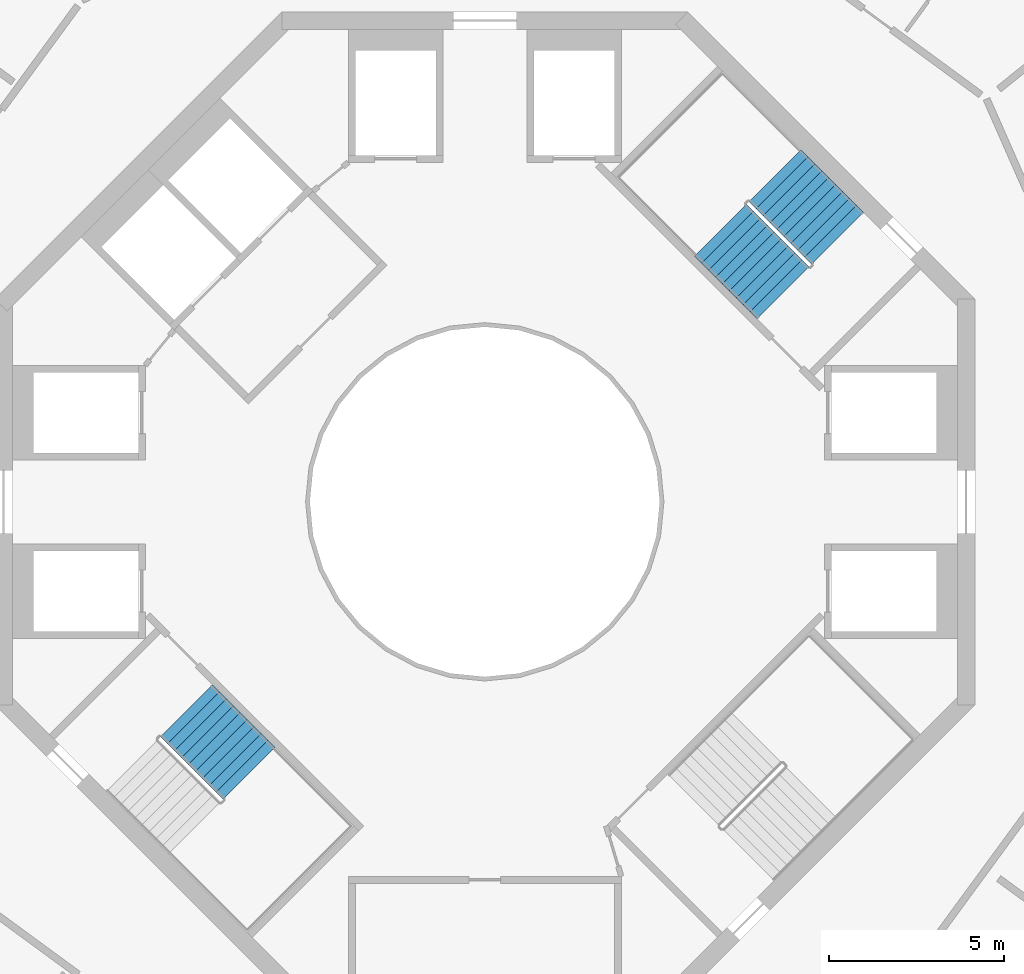
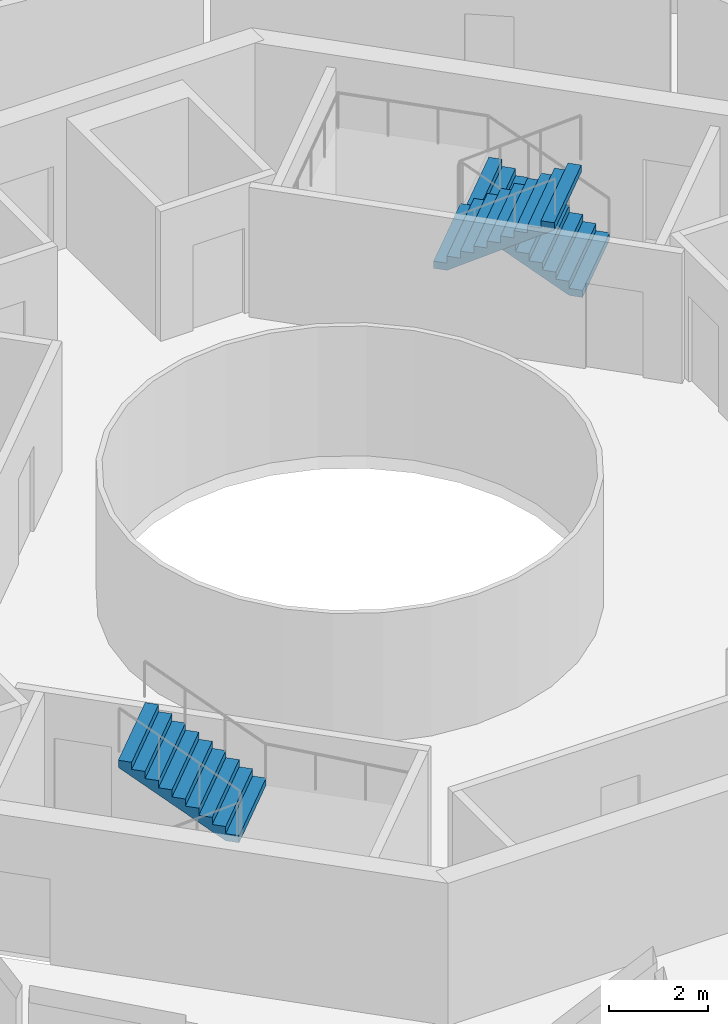
# One storey, part 21 of 22: 3 stair flights, 2 elements without a shape of their own.
"""IFC4 building model written with IfcOpenShell, lengths in metres."""

from ifc_helpers import new_model, si_unit, direction, frame, origin, place, context, subcontext, project, spatial, triangles, material, type_object, element, aggregate, save


model = new_model("IFC4")

# Units and contexts
model_context = context("Model", 3, precision=1e-05, world=origin(), true_north=direction((0.0, 1.0)))
body_context = subcontext(model_context, "Body", "Model", "MODEL_VIEW")
ifc_project = project(units=[si_unit("LENGTHUNIT", "METRE"), si_unit("AREAUNIT", "SQUARE_METRE"), si_unit("VOLUMEUNIT", "CUBIC_METRE"), si_unit("PLANEANGLEUNIT", "RADIAN"), si_unit("MASSUNIT", "GRAM", prefix="KILO")], contexts=[model_context])

# Site, building, storey
site_placement = place(None, origin())
site = spatial("IfcSite", under=ifc_project, at=site_placement, CompositionType="ELEMENT")
building_placement = place(site_placement, origin())
building = spatial("IfcBuilding", under=site, at=building_placement, Name="Verdalira Terraces Hotel", CompositionType="ELEMENT")
storey_placement = place(building_placement, frame((0.0, 0.0, 252.5)))
storey = spatial("IfcBuildingStorey", under=building, at=storey_placement, Name="L62", CompositionType="ELEMENT", Elevation=252.5)

# Stair, stair flights
ifc_material_1 = material(Name="Concrete C40", Category="concrete")
stair_type = type_object("IfcStairType", Name="Core stair 20 risers 2100 mm wide", PredefinedType="HALF_TURN_STAIR", material=ifc_material_1)
stair_1_placement = place(storey_placement, origin())
stair_1 = element("IfcStair", 1, at=stair_1_placement, inside=storey, type_object=stair_type, Name="L62 Exit stair ST1", PredefinedType="HALF_TURN_STAIR")
ifc_material_2 = material(Name="Concrete C40", Category="concrete")
stair_flight_type = type_object("IfcStairFlightType", Name="Core stair flight 20 risers 2100 mm wide", PredefinedType="STRAIGHT", material=ifc_material_2)
stair_flight_1_placement = place(storey_placement, frame((10.076172, 7.530762, 0.0), z_axis=(0.0, 0.0, 1.0), x_axis=(-0.707106781, 0.707106781, 0.0)))
stair_flight_1 = element("IfcStairFlight", 2, at=stair_flight_1_placement, type_object=stair_flight_type, Name="ST1 flight 1", NumberOfRisers=10, NumberOfTreads=9, PredefinedType="STRAIGHT", RiserHeight=0.175, TreadLength=0.28, context=body_context, shape_type="Tessellation", body=[
    triangles([(0.0, 1.050049, 0.0), (0.282715, 1.050049, 0.0), (2.52002, 1.050049, 1.398193), (0.0, -1.050049, 0.0), (0.282715, -1.050049, 0.0), (2.52002, -1.050049, 1.398193), (2.52002, 1.050049, 1.574951), (2.23999, 1.050049, 1.574951), (2.52002, -1.050049, 1.574951), (2.23999, -1.050049, 1.574951), (2.23999, 1.050049, 1.399902), (2.23999, -1.050049, 1.399902), (1.959961, 1.050049, 1.399902), (1.959961, -1.050049, 1.399902), (1.959961, 1.050049, 1.225098), (1.959961, -1.050049, 1.225098), (1.679932, 1.050049, 1.225098), (1.679932, 1.050049, 1.050049), (1.679932, -1.050049, 1.225098), (1.679932, -1.050049, 1.050049), (1.399902, 1.050049, 1.050049), (1.399902, 1.050049, 0.875), (1.399902, -1.050049, 1.050049), (1.399902, -1.050049, 0.875), (1.120117, 1.050049, 0.875), (1.120117, 1.050049, 0.699951), (1.120117, -1.050049, 0.875), (1.120117, -1.050049, 0.699951), (0.840088, 1.050049, 0.699951), (0.840088, 1.050049, 0.524902), (0.840088, -1.050049, 0.699951), (0.840088, -1.050049, 0.524902), (0.560059, 1.050049, 0.524902), (0.560059, 1.050049, 0.350098), (0.560059, -1.050049, 0.524902), (0.560059, -1.050049, 0.350098), (0.280029, 1.050049, 0.350098), (0.280029, 1.050049, 0.175049), (0.280029, -1.050049, 0.350098), (0.280029, -1.050049, 0.175049), (0.0, 1.050049, 0.175049), (0.0, -1.050049, 0.175049), (0.0, -0.984421, 0.0), (0.0, -0.984421, 0.175049), (0.0, -0.918793, 0.0), (0.0, -0.918793, 0.175049), (0.0, -0.853165, 0.0), (0.0, -0.853165, 0.175049), (0.0, -0.787537, 0.0), (0.0, -0.787537, 0.175049), (0.0, -0.721909, 0.0), (0.0, -0.721909, 0.175049), (0.0, -0.656281, 0.0), (0.0, -0.656281, 0.175049), (0.0, -0.590652, 0.0), (0.0, -0.590652, 0.175049), (0.0, -0.525024, 0.0), (0.0, -0.525024, 0.175049), (0.0, -0.459396, 0.0), (0.0, -0.459396, 0.175049), (0.0, -0.393768, 0.0), (0.0, -0.393768, 0.175049), (0.0, -0.32814, 0.0), (0.0, -0.32814, 0.175049), (0.0, -0.262512, 0.0), (0.0, -0.262512, 0.175049), (0.0, -0.196884, 0.0), (0.0, -0.196884, 0.175049), (0.0, -0.131256, 0.0), (0.0, -0.131256, 0.175049), (0.0, -0.065628, 0.0), (0.0, -0.065628, 0.175049), (0.0, 0.0, 0.0), (0.0, 0.0, 0.175049), (0.0, 0.065628, 0.0), (0.0, 0.065628, 0.175049), (0.0, 0.131256, 0.0), (0.0, 0.131256, 0.175049), (0.0, 0.196884, 0.0), (0.0, 0.196884, 0.175049), (0.0, 0.262512, 0.0), (0.0, 0.262512, 0.175049), (0.0, 0.32814, 0.0), (0.0, 0.32814, 0.175049), (0.0, 0.393768, 0.0), (0.0, 0.393768, 0.175049), (0.0, 0.459396, 0.0), (0.0, 0.459396, 0.175049), (0.0, 0.525024, 0.0), (0.0, 0.525024, 0.175049), (0.0, 0.590652, 0.0), (0.0, 0.590652, 0.175049), (0.0, 0.656281, 0.0), (0.0, 0.656281, 0.175049), (0.0, 0.721909, 0.0), (0.0, 0.721909, 0.175049), (0.0, 0.787537, 0.0), (0.0, 0.787537, 0.175049), (0.0, 0.853165, 0.0), (0.0, 0.853165, 0.175049), (0.0, 0.918793, 0.0), (0.0, 0.918793, 0.175049), (0.0, 0.984421, 0.0), (0.0, 0.984421, 0.175049), (2.52002, -0.984421, 1.574951), (2.52002, -0.918793, 1.574951), (2.52002, -0.853165, 1.574951), (2.52002, -0.787537, 1.574951), (2.52002, -0.721909, 1.574951), (2.52002, -0.656281, 1.574951), (2.52002, -0.590652, 1.574951), (2.52002, -0.525024, 1.574951), (2.52002, -0.459396, 1.574951), (2.52002, -0.393768, 1.574951), (2.52002, -0.32814, 1.574951), (2.52002, -0.262512, 1.574951), (2.52002, -0.196884, 1.574951), (2.52002, -0.131256, 1.574951), (2.52002, -0.065628, 1.574951), (2.52002, 0.0, 1.574951), (2.52002, 0.065628, 1.574951), (2.52002, 0.131256, 1.574951), (2.52002, 0.196884, 1.574951), (2.52002, 0.262512, 1.574951), (2.52002, 0.32814, 1.574951), (2.52002, 0.393768, 1.574951), (2.52002, 0.459396, 1.574951), (2.52002, 0.525024, 1.574951), (2.52002, 0.590652, 1.574951), (2.52002, 0.656281, 1.574951), (2.52002, 0.721909, 1.574951), (2.52002, 0.787537, 1.574951), (2.52002, 0.853165, 1.574951), (2.52002, 0.918793, 1.574951), (2.52002, 0.984421, 1.574951), (2.52002, -0.984421, 1.398193), (2.52002, -0.918793, 1.398193), (2.52002, -0.853165, 1.398193), (2.52002, -0.787537, 1.398193), (2.52002, -0.721909, 1.398193), (2.52002, -0.656281, 1.398193), (2.52002, -0.590652, 1.398193), (2.52002, -0.525024, 1.398193), (2.52002, -0.459396, 1.398193), (2.52002, -0.393768, 1.398193), (2.52002, -0.32814, 1.398193), (2.52002, -0.262512, 1.398193), (2.52002, -0.196884, 1.398193), (2.52002, -0.131256, 1.398193), (2.52002, -0.065628, 1.398193), (2.52002, 0.0, 1.398193), (2.52002, 0.065628, 1.398193), (2.52002, 0.131256, 1.398193), (2.52002, 0.196884, 1.398193), (2.52002, 0.262512, 1.398193), (2.52002, 0.32814, 1.398193), (2.52002, 0.393768, 1.398193), (2.52002, 0.459396, 1.398193), (2.52002, 0.525024, 1.398193), (2.52002, 0.590652, 1.398193), (2.52002, 0.656281, 1.398193), (2.52002, 0.721909, 1.398193), (2.52002, 0.787537, 1.398193), (2.52002, 0.853165, 1.398193), (2.52002, 0.918793, 1.398193), (2.52002, 0.984421, 1.398193)], [[1, 3, 2], [4, 5, 6], [3, 8, 7], [6, 9, 10], [3, 11, 8], [6, 10, 12], [3, 13, 11], [6, 12, 14], [3, 15, 13], [6, 14, 16], [15, 18, 17], [16, 19, 20], [3, 18, 15], [6, 16, 20], [18, 22, 21], [20, 23, 24], [3, 22, 18], [6, 20, 24], [22, 26, 25], [24, 27, 28], [3, 26, 22], [6, 24, 28], [26, 30, 29], [28, 31, 32], [3, 30, 26], [6, 28, 32], [1, 30, 3], [4, 6, 32], [30, 34, 33], [32, 35, 36], [34, 38, 37], [36, 39, 40], [30, 38, 34], [32, 36, 40], [1, 38, 30], [4, 32, 40], [38, 1, 41], [40, 42, 4], [4, 44, 43], [4, 42, 44], [43, 46, 45], [43, 44, 46], [45, 48, 47], [45, 46, 48], [47, 50, 49], [47, 48, 50], [49, 52, 51], [49, 50, 52], [51, 54, 53], [51, 52, 54], [53, 56, 55], [53, 54, 56], [55, 58, 57], [55, 56, 58], [57, 60, 59], [57, 58, 60], [59, 62, 61], [59, 60, 62], [61, 64, 63], [61, 62, 64], [63, 66, 65], [63, 64, 66], [65, 68, 67], [65, 66, 68], [67, 70, 69], [67, 68, 70], [69, 72, 71], [69, 70, 72], [71, 74, 73], [71, 72, 74], [73, 76, 75], [73, 74, 76], [75, 78, 77], [75, 76, 78], [77, 80, 79], [77, 78, 80], [79, 82, 81], [79, 80, 82], [81, 84, 83], [81, 82, 84], [83, 86, 85], [83, 84, 86], [85, 88, 87], [85, 86, 88], [87, 90, 89], [87, 88, 90], [89, 92, 91], [89, 90, 92], [91, 94, 93], [91, 92, 94], [93, 96, 95], [93, 94, 96], [95, 98, 97], [95, 96, 98], [97, 100, 99], [97, 98, 100], [99, 102, 101], [99, 100, 102], [101, 104, 103], [101, 102, 104], [103, 41, 1], [103, 104, 41], [42, 40, 44], [44, 40, 46], [46, 40, 48], [48, 40, 50], [50, 40, 52], [52, 40, 54], [54, 40, 56], [56, 40, 58], [58, 40, 60], [60, 40, 62], [62, 40, 64], [64, 40, 66], [66, 40, 68], [68, 40, 70], [70, 40, 72], [72, 40, 74], [74, 40, 76], [76, 40, 78], [78, 40, 80], [80, 40, 82], [82, 40, 84], [84, 40, 86], [86, 40, 88], [88, 40, 90], [90, 40, 92], [92, 40, 94], [94, 40, 96], [96, 40, 98], [98, 40, 100], [100, 40, 102], [102, 40, 104], [104, 40, 41], [41, 40, 38], [40, 37, 38], [40, 39, 37], [39, 34, 37], [39, 36, 34], [36, 33, 34], [36, 35, 33], [35, 30, 33], [35, 32, 30], [32, 29, 30], [32, 31, 29], [31, 26, 29], [31, 28, 26], [28, 25, 26], [28, 27, 25], [27, 22, 25], [27, 24, 22], [24, 21, 22], [24, 23, 21], [23, 18, 21], [23, 20, 18], [20, 17, 18], [20, 19, 17], [19, 15, 17], [19, 16, 15], [16, 13, 15], [16, 14, 13], [14, 11, 13], [14, 12, 11], [12, 8, 11], [12, 10, 8], [9, 105, 10], [105, 106, 10], [106, 107, 10], [107, 108, 10], [108, 109, 10], [109, 110, 10], [110, 111, 10], [111, 112, 10], [112, 113, 10], [113, 114, 10], [114, 115, 10], [115, 116, 10], [116, 117, 10], [117, 118, 10], [118, 119, 10], [119, 120, 10], [120, 121, 10], [121, 122, 10], [122, 123, 10], [123, 124, 10], [124, 125, 10], [125, 126, 10], [126, 127, 10], [127, 128, 10], [128, 129, 10], [129, 130, 10], [130, 131, 10], [131, 132, 10], [132, 133, 10], [133, 134, 10], [134, 135, 10], [135, 7, 10], [7, 8, 10], [9, 136, 105], [9, 6, 136], [105, 137, 106], [105, 136, 137], [106, 138, 107], [106, 137, 138], [107, 139, 108], [107, 138, 139], [108, 140, 109], [108, 139, 140], [109, 141, 110], [109, 140, 141], [110, 142, 111], [110, 141, 142], [111, 143, 112], [111, 142, 143], [112, 144, 113], [112, 143, 144], [113, 145, 114], [113, 144, 145], [114, 146, 115], [114, 145, 146], [115, 147, 116], [115, 146, 147], [116, 148, 117], [116, 147, 148], [117, 149, 118], [117, 148, 149], [118, 150, 119], [118, 149, 150], [119, 151, 120], [119, 150, 151], [120, 152, 121], [120, 151, 152], [121, 153, 122], [121, 152, 153], [122, 154, 123], [122, 153, 154], [123, 155, 124], [123, 154, 155], [124, 156, 125], [124, 155, 156], [125, 157, 126], [125, 156, 157], [126, 158, 127], [126, 157, 158], [127, 159, 128], [127, 158, 159], [128, 160, 129], [128, 159, 160], [129, 161, 130], [129, 160, 161], [130, 162, 131], [130, 161, 162], [131, 163, 132], [131, 162, 163], [132, 164, 133], [132, 163, 164], [133, 165, 134], [133, 164, 165], [134, 166, 135], [134, 165, 166], [135, 3, 7], [135, 166, 3], [6, 5, 136], [136, 5, 137], [137, 5, 138], [138, 5, 139], [139, 5, 140], [140, 5, 141], [141, 5, 142], [142, 5, 143], [143, 5, 144], [144, 5, 145], [145, 5, 146], [146, 5, 147], [147, 5, 148], [148, 5, 149], [149, 5, 150], [150, 5, 151], [151, 5, 152], [152, 5, 153], [153, 5, 154], [154, 5, 155], [155, 5, 156], [156, 5, 157], [157, 5, 158], [158, 5, 159], [159, 5, 160], [160, 5, 161], [161, 5, 162], [162, 5, 163], [163, 5, 164], [164, 5, 165], [165, 5, 166], [166, 5, 3], [3, 5, 2], [4, 43, 5], [43, 45, 5], [45, 47, 5], [47, 49, 5], [49, 51, 5], [51, 53, 5], [53, 55, 5], [55, 57, 5], [57, 59, 5], [59, 61, 5], [61, 63, 5], [63, 65, 5], [65, 67, 5], [67, 69, 5], [69, 71, 5], [71, 73, 5], [73, 75, 5], [75, 77, 5], [77, 79, 5], [79, 81, 5], [81, 83, 5], [83, 85, 5], [85, 87, 5], [87, 89, 5], [89, 91, 5], [91, 93, 5], [93, 95, 5], [95, 97, 5], [97, 99, 5], [99, 101, 5], [101, 103, 5], [103, 1, 5], [1, 2, 5]], closed=True),
])
stair_flight_2_placement = place(storey_placement, frame((6.73877, 7.75708, 1.75), z_axis=(0.0, 0.0, 1.0), x_axis=(0.707106781, -0.707106781, 0.0)))
stair_flight_2 = element("IfcStairFlight", 3, at=stair_flight_2_placement, type_object=stair_flight_type, Name="ST1 flight 2", NumberOfRisers=10, NumberOfTreads=9, PredefinedType="STRAIGHT", RiserHeight=0.175, TreadLength=0.28, context=body_context, shape_type="Tessellation", body=[
    triangles([(0.0, 1.050049, 0.0), (0.282715, 1.050049, 0.0), (2.52002, 1.050049, 1.398193), (0.0, -1.050049, 0.0), (0.282715, -1.050049, 0.0), (2.52002, -1.050049, 1.398193), (2.52002, 1.050049, 1.574951), (2.23999, 1.050049, 1.574951), (2.52002, -1.050049, 1.574951), (2.23999, -1.050049, 1.574951), (2.23999, 1.050049, 1.399902), (2.23999, -1.050049, 1.399902), (1.959961, 1.050049, 1.399902), (1.959961, -1.050049, 1.399902), (1.959961, 1.050049, 1.225098), (1.959961, -1.050049, 1.225098), (1.679932, 1.050049, 1.225098), (1.679932, 1.050049, 1.050049), (1.679932, -1.050049, 1.225098), (1.679932, -1.050049, 1.050049), (1.399902, 1.050049, 1.050049), (1.399902, 1.050049, 0.875), (1.399902, -1.050049, 1.050049), (1.399902, -1.050049, 0.875), (1.120117, 1.050049, 0.875), (1.120117, 1.050049, 0.699951), (1.120117, -1.050049, 0.875), (1.120117, -1.050049, 0.699951), (0.840088, 1.050049, 0.699951), (0.840088, 1.050049, 0.524902), (0.840088, -1.050049, 0.699951), (0.840088, -1.050049, 0.524902), (0.560059, 1.050049, 0.524902), (0.560059, 1.050049, 0.350098), (0.560059, -1.050049, 0.524902), (0.560059, -1.050049, 0.350098), (0.280029, 1.050049, 0.350098), (0.280029, 1.050049, 0.175049), (0.280029, -1.050049, 0.350098), (0.280029, -1.050049, 0.175049), (0.0, 1.050049, 0.175049), (0.0, -1.050049, 0.175049), (0.0, -0.984421, 0.0), (0.0, -0.984421, 0.175049), (0.0, -0.918793, 0.0), (0.0, -0.918793, 0.175049), (0.0, -0.853165, 0.0), (0.0, -0.853165, 0.175049), (0.0, -0.787537, 0.0), (0.0, -0.787537, 0.175049), (0.0, -0.721909, 0.0), (0.0, -0.721909, 0.175049), (0.0, -0.656281, 0.0), (0.0, -0.656281, 0.175049), (0.0, -0.590652, 0.0), (0.0, -0.590652, 0.175049), (0.0, -0.525024, 0.0), (0.0, -0.525024, 0.175049), (0.0, -0.459396, 0.0), (0.0, -0.459396, 0.175049), (0.0, -0.393768, 0.0), (0.0, -0.393768, 0.175049), (0.0, -0.32814, 0.0), (0.0, -0.32814, 0.175049), (0.0, -0.262512, 0.0), (0.0, -0.262512, 0.175049), (0.0, -0.196884, 0.0), (0.0, -0.196884, 0.175049), (0.0, -0.131256, 0.0), (0.0, -0.131256, 0.175049), (0.0, -0.065628, 0.0), (0.0, -0.065628, 0.175049), (0.0, 0.0, 0.0), (0.0, 0.0, 0.175049), (0.0, 0.065628, 0.0), (0.0, 0.065628, 0.175049), (0.0, 0.131256, 0.0), (0.0, 0.131256, 0.175049), (0.0, 0.196884, 0.0), (0.0, 0.196884, 0.175049), (0.0, 0.262512, 0.0), (0.0, 0.262512, 0.175049), (0.0, 0.32814, 0.0), (0.0, 0.32814, 0.175049), (0.0, 0.393768, 0.0), (0.0, 0.393768, 0.175049), (0.0, 0.459396, 0.0), (0.0, 0.459396, 0.175049), (0.0, 0.525024, 0.0), (0.0, 0.525024, 0.175049), (0.0, 0.590652, 0.0), (0.0, 0.590652, 0.175049), (0.0, 0.656281, 0.0), (0.0, 0.656281, 0.175049), (0.0, 0.721909, 0.0), (0.0, 0.721909, 0.175049), (0.0, 0.787537, 0.0), (0.0, 0.787537, 0.175049), (0.0, 0.853165, 0.0), (0.0, 0.853165, 0.175049), (0.0, 0.918793, 0.0), (0.0, 0.918793, 0.175049), (0.0, 0.984421, 0.0), (0.0, 0.984421, 0.175049), (2.52002, -0.984421, 1.574951), (2.52002, -0.918793, 1.574951), (2.52002, -0.853165, 1.574951), (2.52002, -0.787537, 1.574951), (2.52002, -0.721909, 1.574951), (2.52002, -0.656281, 1.574951), (2.52002, -0.590652, 1.574951), (2.52002, -0.525024, 1.574951), (2.52002, -0.459396, 1.574951), (2.52002, -0.393768, 1.574951), (2.52002, -0.32814, 1.574951), (2.52002, -0.262512, 1.574951), (2.52002, -0.196884, 1.574951), (2.52002, -0.131256, 1.574951), (2.52002, -0.065628, 1.574951), (2.52002, 0.0, 1.574951), (2.52002, 0.065628, 1.574951), (2.52002, 0.131256, 1.574951), (2.52002, 0.196884, 1.574951), (2.52002, 0.262512, 1.574951), (2.52002, 0.32814, 1.574951), (2.52002, 0.393768, 1.574951), (2.52002, 0.459396, 1.574951), (2.52002, 0.525024, 1.574951), (2.52002, 0.590652, 1.574951), (2.52002, 0.656281, 1.574951), (2.52002, 0.721909, 1.574951), (2.52002, 0.787537, 1.574951), (2.52002, 0.853165, 1.574951), (2.52002, 0.918793, 1.574951), (2.52002, 0.984421, 1.574951), (2.52002, -0.984421, 1.398193), (2.52002, -0.918793, 1.398193), (2.52002, -0.853165, 1.398193), (2.52002, -0.787537, 1.398193), (2.52002, -0.721909, 1.398193), (2.52002, -0.656281, 1.398193), (2.52002, -0.590652, 1.398193), (2.52002, -0.525024, 1.398193), (2.52002, -0.459396, 1.398193), (2.52002, -0.393768, 1.398193), (2.52002, -0.32814, 1.398193), (2.52002, -0.262512, 1.398193), (2.52002, -0.196884, 1.398193), (2.52002, -0.131256, 1.398193), (2.52002, -0.065628, 1.398193), (2.52002, 0.0, 1.398193), (2.52002, 0.065628, 1.398193), (2.52002, 0.131256, 1.398193), (2.52002, 0.196884, 1.398193), (2.52002, 0.262512, 1.398193), (2.52002, 0.32814, 1.398193), (2.52002, 0.393768, 1.398193), (2.52002, 0.459396, 1.398193), (2.52002, 0.525024, 1.398193), (2.52002, 0.590652, 1.398193), (2.52002, 0.656281, 1.398193), (2.52002, 0.721909, 1.398193), (2.52002, 0.787537, 1.398193), (2.52002, 0.853165, 1.398193), (2.52002, 0.918793, 1.398193), (2.52002, 0.984421, 1.398193)], [[1, 3, 2], [4, 5, 6], [3, 8, 7], [6, 9, 10], [3, 11, 8], [6, 10, 12], [3, 13, 11], [6, 12, 14], [3, 15, 13], [6, 14, 16], [15, 18, 17], [16, 19, 20], [3, 18, 15], [6, 16, 20], [18, 22, 21], [20, 23, 24], [3, 22, 18], [6, 20, 24], [22, 26, 25], [24, 27, 28], [3, 26, 22], [6, 24, 28], [26, 30, 29], [28, 31, 32], [3, 30, 26], [6, 28, 32], [1, 30, 3], [4, 6, 32], [30, 34, 33], [32, 35, 36], [34, 38, 37], [36, 39, 40], [30, 38, 34], [32, 36, 40], [1, 38, 30], [4, 32, 40], [38, 1, 41], [40, 42, 4], [4, 44, 43], [4, 42, 44], [43, 46, 45], [43, 44, 46], [45, 48, 47], [45, 46, 48], [47, 50, 49], [47, 48, 50], [49, 52, 51], [49, 50, 52], [51, 54, 53], [51, 52, 54], [53, 56, 55], [53, 54, 56], [55, 58, 57], [55, 56, 58], [57, 60, 59], [57, 58, 60], [59, 62, 61], [59, 60, 62], [61, 64, 63], [61, 62, 64], [63, 66, 65], [63, 64, 66], [65, 68, 67], [65, 66, 68], [67, 70, 69], [67, 68, 70], [69, 72, 71], [69, 70, 72], [71, 74, 73], [71, 72, 74], [73, 76, 75], [73, 74, 76], [75, 78, 77], [75, 76, 78], [77, 80, 79], [77, 78, 80], [79, 82, 81], [79, 80, 82], [81, 84, 83], [81, 82, 84], [83, 86, 85], [83, 84, 86], [85, 88, 87], [85, 86, 88], [87, 90, 89], [87, 88, 90], [89, 92, 91], [89, 90, 92], [91, 94, 93], [91, 92, 94], [93, 96, 95], [93, 94, 96], [95, 98, 97], [95, 96, 98], [97, 100, 99], [97, 98, 100], [99, 102, 101], [99, 100, 102], [101, 104, 103], [101, 102, 104], [103, 41, 1], [103, 104, 41], [42, 40, 44], [44, 40, 46], [46, 40, 48], [48, 40, 50], [50, 40, 52], [52, 40, 54], [54, 40, 56], [56, 40, 58], [58, 40, 60], [60, 40, 62], [62, 40, 64], [64, 40, 66], [66, 40, 68], [68, 40, 70], [70, 40, 72], [72, 40, 74], [74, 40, 76], [76, 40, 78], [78, 40, 80], [80, 40, 82], [82, 40, 84], [84, 40, 86], [86, 40, 88], [88, 40, 90], [90, 40, 92], [92, 40, 94], [94, 40, 96], [96, 40, 98], [98, 40, 100], [100, 40, 102], [102, 40, 104], [104, 40, 41], [41, 40, 38], [40, 37, 38], [40, 39, 37], [39, 34, 37], [39, 36, 34], [36, 33, 34], [36, 35, 33], [35, 30, 33], [35, 32, 30], [32, 29, 30], [32, 31, 29], [31, 26, 29], [31, 28, 26], [28, 25, 26], [28, 27, 25], [27, 22, 25], [27, 24, 22], [24, 21, 22], [24, 23, 21], [23, 18, 21], [23, 20, 18], [20, 17, 18], [20, 19, 17], [19, 15, 17], [19, 16, 15], [16, 13, 15], [16, 14, 13], [14, 11, 13], [14, 12, 11], [12, 8, 11], [12, 10, 8], [9, 105, 10], [105, 106, 10], [106, 107, 10], [107, 108, 10], [108, 109, 10], [109, 110, 10], [110, 111, 10], [111, 112, 10], [112, 113, 10], [113, 114, 10], [114, 115, 10], [115, 116, 10], [116, 117, 10], [117, 118, 10], [118, 119, 10], [119, 120, 10], [120, 121, 10], [121, 122, 10], [122, 123, 10], [123, 124, 10], [124, 125, 10], [125, 126, 10], [126, 127, 10], [127, 128, 10], [128, 129, 10], [129, 130, 10], [130, 131, 10], [131, 132, 10], [132, 133, 10], [133, 134, 10], [134, 135, 10], [135, 7, 10], [7, 8, 10], [9, 136, 105], [9, 6, 136], [105, 137, 106], [105, 136, 137], [106, 138, 107], [106, 137, 138], [107, 139, 108], [107, 138, 139], [108, 140, 109], [108, 139, 140], [109, 141, 110], [109, 140, 141], [110, 142, 111], [110, 141, 142], [111, 143, 112], [111, 142, 143], [112, 144, 113], [112, 143, 144], [113, 145, 114], [113, 144, 145], [114, 146, 115], [114, 145, 146], [115, 147, 116], [115, 146, 147], [116, 148, 117], [116, 147, 148], [117, 149, 118], [117, 148, 149], [118, 150, 119], [118, 149, 150], [119, 151, 120], [119, 150, 151], [120, 152, 121], [120, 151, 152], [121, 153, 122], [121, 152, 153], [122, 154, 123], [122, 153, 154], [123, 155, 124], [123, 154, 155], [124, 156, 125], [124, 155, 156], [125, 157, 126], [125, 156, 157], [126, 158, 127], [126, 157, 158], [127, 159, 128], [127, 158, 159], [128, 160, 129], [128, 159, 160], [129, 161, 130], [129, 160, 161], [130, 162, 131], [130, 161, 162], [131, 163, 132], [131, 162, 163], [132, 164, 133], [132, 163, 164], [133, 165, 134], [133, 164, 165], [134, 166, 135], [134, 165, 166], [135, 3, 7], [135, 166, 3], [6, 5, 136], [136, 5, 137], [137, 5, 138], [138, 5, 139], [139, 5, 140], [140, 5, 141], [141, 5, 142], [142, 5, 143], [143, 5, 144], [144, 5, 145], [145, 5, 146], [146, 5, 147], [147, 5, 148], [148, 5, 149], [149, 5, 150], [150, 5, 151], [151, 5, 152], [152, 5, 153], [153, 5, 154], [154, 5, 155], [155, 5, 156], [156, 5, 157], [157, 5, 158], [158, 5, 159], [159, 5, 160], [160, 5, 161], [161, 5, 162], [162, 5, 163], [163, 5, 164], [164, 5, 165], [165, 5, 166], [166, 5, 3], [3, 5, 2], [4, 43, 5], [43, 45, 5], [45, 47, 5], [47, 49, 5], [49, 51, 5], [51, 53, 5], [53, 55, 5], [55, 57, 5], [57, 59, 5], [59, 61, 5], [61, 63, 5], [63, 65, 5], [65, 67, 5], [67, 69, 5], [69, 71, 5], [71, 73, 5], [73, 75, 5], [75, 77, 5], [77, 79, 5], [79, 81, 5], [81, 83, 5], [83, 85, 5], [85, 87, 5], [87, 89, 5], [89, 91, 5], [91, 93, 5], [93, 95, 5], [95, 97, 5], [97, 99, 5], [99, 101, 5], [101, 103, 5], [103, 1, 5], [1, 2, 5]], closed=True),
])
aggregate(stair_1, [stair_flight_1, stair_flight_2])

# Stair, stair flight
stair_2_placement = place(storey_placement, origin())
stair_2 = element("IfcStair", 4, at=stair_2_placement, inside=storey, type_object=stair_type, Name="L62 Exit stair ST2", PredefinedType="HALF_TURN_STAIR")
stair_flight_3_placement = place(storey_placement, frame((-6.73877, -7.75708, 1.75), z_axis=(0.0, 0.0, 1.0), x_axis=(-0.707106781, 0.707106781, 0.0)))
stair_flight_3 = element("IfcStairFlight", 5, at=stair_flight_3_placement, type_object=stair_flight_type, Name="ST2 flight 2", NumberOfRisers=10, NumberOfTreads=9, PredefinedType="STRAIGHT", RiserHeight=0.175, TreadLength=0.28, context=body_context, shape_type="Tessellation", body=[
    triangles([(0.0, 1.050049, 0.0), (0.282715, 1.050049, 0.0), (2.52002, 1.050049, 1.398193), (0.0, -1.050049, 0.0), (0.282715, -1.050049, 0.0), (2.52002, -1.050049, 1.398193), (2.52002, 1.050049, 1.574951), (2.23999, 1.050049, 1.574951), (2.52002, -1.050049, 1.574951), (2.23999, -1.050049, 1.574951), (2.23999, 1.050049, 1.399902), (2.23999, -1.050049, 1.399902), (1.959961, 1.050049, 1.399902), (1.959961, -1.050049, 1.399902), (1.959961, 1.050049, 1.225098), (1.959961, -1.050049, 1.225098), (1.679932, 1.050049, 1.225098), (1.679932, 1.050049, 1.050049), (1.679932, -1.050049, 1.225098), (1.679932, -1.050049, 1.050049), (1.399902, 1.050049, 1.050049), (1.399902, 1.050049, 0.875), (1.399902, -1.050049, 1.050049), (1.399902, -1.050049, 0.875), (1.120117, 1.050049, 0.875), (1.120117, 1.050049, 0.699951), (1.120117, -1.050049, 0.875), (1.120117, -1.050049, 0.699951), (0.840088, 1.050049, 0.699951), (0.840088, 1.050049, 0.524902), (0.840088, -1.050049, 0.699951), (0.840088, -1.050049, 0.524902), (0.560059, 1.050049, 0.524902), (0.560059, 1.050049, 0.350098), (0.560059, -1.050049, 0.524902), (0.560059, -1.050049, 0.350098), (0.280029, 1.050049, 0.350098), (0.280029, 1.050049, 0.175049), (0.280029, -1.050049, 0.350098), (0.280029, -1.050049, 0.175049), (0.0, 1.050049, 0.175049), (0.0, -1.050049, 0.175049), (0.0, -0.984421, 0.0), (0.0, -0.984421, 0.175049), (0.0, -0.918793, 0.0), (0.0, -0.918793, 0.175049), (0.0, -0.853165, 0.0), (0.0, -0.853165, 0.175049), (0.0, -0.787537, 0.0), (0.0, -0.787537, 0.175049), (0.0, -0.721909, 0.0), (0.0, -0.721909, 0.175049), (0.0, -0.656281, 0.0), (0.0, -0.656281, 0.175049), (0.0, -0.590652, 0.0), (0.0, -0.590652, 0.175049), (0.0, -0.525024, 0.0), (0.0, -0.525024, 0.175049), (0.0, -0.459396, 0.0), (0.0, -0.459396, 0.175049), (0.0, -0.393768, 0.0), (0.0, -0.393768, 0.175049), (0.0, -0.32814, 0.0), (0.0, -0.32814, 0.175049), (0.0, -0.262512, 0.0), (0.0, -0.262512, 0.175049), (0.0, -0.196884, 0.0), (0.0, -0.196884, 0.175049), (0.0, -0.131256, 0.0), (0.0, -0.131256, 0.175049), (0.0, -0.065628, 0.0), (0.0, -0.065628, 0.175049), (0.0, 0.0, 0.0), (0.0, 0.0, 0.175049), (0.0, 0.065628, 0.0), (0.0, 0.065628, 0.175049), (0.0, 0.131256, 0.0), (0.0, 0.131256, 0.175049), (0.0, 0.196884, 0.0), (0.0, 0.196884, 0.175049), (0.0, 0.262512, 0.0), (0.0, 0.262512, 0.175049), (0.0, 0.32814, 0.0), (0.0, 0.32814, 0.175049), (0.0, 0.393768, 0.0), (0.0, 0.393768, 0.175049), (0.0, 0.459396, 0.0), (0.0, 0.459396, 0.175049), (0.0, 0.525024, 0.0), (0.0, 0.525024, 0.175049), (0.0, 0.590652, 0.0), (0.0, 0.590652, 0.175049), (0.0, 0.656281, 0.0), (0.0, 0.656281, 0.175049), (0.0, 0.721909, 0.0), (0.0, 0.721909, 0.175049), (0.0, 0.787537, 0.0), (0.0, 0.787537, 0.175049), (0.0, 0.853165, 0.0), (0.0, 0.853165, 0.175049), (0.0, 0.918793, 0.0), (0.0, 0.918793, 0.175049), (0.0, 0.984421, 0.0), (0.0, 0.984421, 0.175049), (2.52002, -0.984421, 1.574951), (2.52002, -0.918793, 1.574951), (2.52002, -0.853165, 1.574951), (2.52002, -0.787537, 1.574951), (2.52002, -0.721909, 1.574951), (2.52002, -0.656281, 1.574951), (2.52002, -0.590652, 1.574951), (2.52002, -0.525024, 1.574951), (2.52002, -0.459396, 1.574951), (2.52002, -0.393768, 1.574951), (2.52002, -0.32814, 1.574951), (2.52002, -0.262512, 1.574951), (2.52002, -0.196884, 1.574951), (2.52002, -0.131256, 1.574951), (2.52002, -0.065628, 1.574951), (2.52002, 0.0, 1.574951), (2.52002, 0.065628, 1.574951), (2.52002, 0.131256, 1.574951), (2.52002, 0.196884, 1.574951), (2.52002, 0.262512, 1.574951), (2.52002, 0.32814, 1.574951), (2.52002, 0.393768, 1.574951), (2.52002, 0.459396, 1.574951), (2.52002, 0.525024, 1.574951), (2.52002, 0.590652, 1.574951), (2.52002, 0.656281, 1.574951), (2.52002, 0.721909, 1.574951), (2.52002, 0.787537, 1.574951), (2.52002, 0.853165, 1.574951), (2.52002, 0.918793, 1.574951), (2.52002, 0.984421, 1.574951), (2.52002, -0.984421, 1.398193), (2.52002, -0.918793, 1.398193), (2.52002, -0.853165, 1.398193), (2.52002, -0.787537, 1.398193), (2.52002, -0.721909, 1.398193), (2.52002, -0.656281, 1.398193), (2.52002, -0.590652, 1.398193), (2.52002, -0.525024, 1.398193), (2.52002, -0.459396, 1.398193), (2.52002, -0.393768, 1.398193), (2.52002, -0.32814, 1.398193), (2.52002, -0.262512, 1.398193), (2.52002, -0.196884, 1.398193), (2.52002, -0.131256, 1.398193), (2.52002, -0.065628, 1.398193), (2.52002, 0.0, 1.398193), (2.52002, 0.065628, 1.398193), (2.52002, 0.131256, 1.398193), (2.52002, 0.196884, 1.398193), (2.52002, 0.262512, 1.398193), (2.52002, 0.32814, 1.398193), (2.52002, 0.393768, 1.398193), (2.52002, 0.459396, 1.398193), (2.52002, 0.525024, 1.398193), (2.52002, 0.590652, 1.398193), (2.52002, 0.656281, 1.398193), (2.52002, 0.721909, 1.398193), (2.52002, 0.787537, 1.398193), (2.52002, 0.853165, 1.398193), (2.52002, 0.918793, 1.398193), (2.52002, 0.984421, 1.398193)], [[1, 3, 2], [4, 5, 6], [3, 8, 7], [6, 9, 10], [3, 11, 8], [6, 10, 12], [3, 13, 11], [6, 12, 14], [3, 15, 13], [6, 14, 16], [15, 18, 17], [16, 19, 20], [3, 18, 15], [6, 16, 20], [18, 22, 21], [20, 23, 24], [3, 22, 18], [6, 20, 24], [22, 26, 25], [24, 27, 28], [3, 26, 22], [6, 24, 28], [26, 30, 29], [28, 31, 32], [3, 30, 26], [6, 28, 32], [1, 30, 3], [4, 6, 32], [30, 34, 33], [32, 35, 36], [34, 38, 37], [36, 39, 40], [30, 38, 34], [32, 36, 40], [1, 38, 30], [4, 32, 40], [38, 1, 41], [40, 42, 4], [4, 44, 43], [4, 42, 44], [43, 46, 45], [43, 44, 46], [45, 48, 47], [45, 46, 48], [47, 50, 49], [47, 48, 50], [49, 52, 51], [49, 50, 52], [51, 54, 53], [51, 52, 54], [53, 56, 55], [53, 54, 56], [55, 58, 57], [55, 56, 58], [57, 60, 59], [57, 58, 60], [59, 62, 61], [59, 60, 62], [61, 64, 63], [61, 62, 64], [63, 66, 65], [63, 64, 66], [65, 68, 67], [65, 66, 68], [67, 70, 69], [67, 68, 70], [69, 72, 71], [69, 70, 72], [71, 74, 73], [71, 72, 74], [73, 76, 75], [73, 74, 76], [75, 78, 77], [75, 76, 78], [77, 80, 79], [77, 78, 80], [79, 82, 81], [79, 80, 82], [81, 84, 83], [81, 82, 84], [83, 86, 85], [83, 84, 86], [85, 88, 87], [85, 86, 88], [87, 90, 89], [87, 88, 90], [89, 92, 91], [89, 90, 92], [91, 94, 93], [91, 92, 94], [93, 96, 95], [93, 94, 96], [95, 98, 97], [95, 96, 98], [97, 100, 99], [97, 98, 100], [99, 102, 101], [99, 100, 102], [101, 104, 103], [101, 102, 104], [103, 41, 1], [103, 104, 41], [42, 40, 44], [44, 40, 46], [46, 40, 48], [48, 40, 50], [50, 40, 52], [52, 40, 54], [54, 40, 56], [56, 40, 58], [58, 40, 60], [60, 40, 62], [62, 40, 64], [64, 40, 66], [66, 40, 68], [68, 40, 70], [70, 40, 72], [72, 40, 74], [74, 40, 76], [76, 40, 78], [78, 40, 80], [80, 40, 82], [82, 40, 84], [84, 40, 86], [86, 40, 88], [88, 40, 90], [90, 40, 92], [92, 40, 94], [94, 40, 96], [96, 40, 98], [98, 40, 100], [100, 40, 102], [102, 40, 104], [104, 40, 41], [41, 40, 38], [40, 37, 38], [40, 39, 37], [39, 34, 37], [39, 36, 34], [36, 33, 34], [36, 35, 33], [35, 30, 33], [35, 32, 30], [32, 29, 30], [32, 31, 29], [31, 26, 29], [31, 28, 26], [28, 25, 26], [28, 27, 25], [27, 22, 25], [27, 24, 22], [24, 21, 22], [24, 23, 21], [23, 18, 21], [23, 20, 18], [20, 17, 18], [20, 19, 17], [19, 15, 17], [19, 16, 15], [16, 13, 15], [16, 14, 13], [14, 11, 13], [14, 12, 11], [12, 8, 11], [12, 10, 8], [9, 105, 10], [105, 106, 10], [106, 107, 10], [107, 108, 10], [108, 109, 10], [109, 110, 10], [110, 111, 10], [111, 112, 10], [112, 113, 10], [113, 114, 10], [114, 115, 10], [115, 116, 10], [116, 117, 10], [117, 118, 10], [118, 119, 10], [119, 120, 10], [120, 121, 10], [121, 122, 10], [122, 123, 10], [123, 124, 10], [124, 125, 10], [125, 126, 10], [126, 127, 10], [127, 128, 10], [128, 129, 10], [129, 130, 10], [130, 131, 10], [131, 132, 10], [132, 133, 10], [133, 134, 10], [134, 135, 10], [135, 7, 10], [7, 8, 10], [9, 136, 105], [9, 6, 136], [105, 137, 106], [105, 136, 137], [106, 138, 107], [106, 137, 138], [107, 139, 108], [107, 138, 139], [108, 140, 109], [108, 139, 140], [109, 141, 110], [109, 140, 141], [110, 142, 111], [110, 141, 142], [111, 143, 112], [111, 142, 143], [112, 144, 113], [112, 143, 144], [113, 145, 114], [113, 144, 145], [114, 146, 115], [114, 145, 146], [115, 147, 116], [115, 146, 147], [116, 148, 117], [116, 147, 148], [117, 149, 118], [117, 148, 149], [118, 150, 119], [118, 149, 150], [119, 151, 120], [119, 150, 151], [120, 152, 121], [120, 151, 152], [121, 153, 122], [121, 152, 153], [122, 154, 123], [122, 153, 154], [123, 155, 124], [123, 154, 155], [124, 156, 125], [124, 155, 156], [125, 157, 126], [125, 156, 157], [126, 158, 127], [126, 157, 158], [127, 159, 128], [127, 158, 159], [128, 160, 129], [128, 159, 160], [129, 161, 130], [129, 160, 161], [130, 162, 131], [130, 161, 162], [131, 163, 132], [131, 162, 163], [132, 164, 133], [132, 163, 164], [133, 165, 134], [133, 164, 165], [134, 166, 135], [134, 165, 166], [135, 3, 7], [135, 166, 3], [6, 5, 136], [136, 5, 137], [137, 5, 138], [138, 5, 139], [139, 5, 140], [140, 5, 141], [141, 5, 142], [142, 5, 143], [143, 5, 144], [144, 5, 145], [145, 5, 146], [146, 5, 147], [147, 5, 148], [148, 5, 149], [149, 5, 150], [150, 5, 151], [151, 5, 152], [152, 5, 153], [153, 5, 154], [154, 5, 155], [155, 5, 156], [156, 5, 157], [157, 5, 158], [158, 5, 159], [159, 5, 160], [160, 5, 161], [161, 5, 162], [162, 5, 163], [163, 5, 164], [164, 5, 165], [165, 5, 166], [166, 5, 3], [3, 5, 2], [4, 43, 5], [43, 45, 5], [45, 47, 5], [47, 49, 5], [49, 51, 5], [51, 53, 5], [53, 55, 5], [55, 57, 5], [57, 59, 5], [59, 61, 5], [61, 63, 5], [63, 65, 5], [65, 67, 5], [67, 69, 5], [69, 71, 5], [71, 73, 5], [73, 75, 5], [75, 77, 5], [77, 79, 5], [79, 81, 5], [81, 83, 5], [83, 85, 5], [85, 87, 5], [87, 89, 5], [89, 91, 5], [91, 93, 5], [93, 95, 5], [95, 97, 5], [97, 99, 5], [99, 101, 5], [101, 103, 5], [103, 1, 5], [1, 2, 5]], closed=True),
])
aggregate(stair_2, [stair_flight_3])

save(model, "model.ifc")
